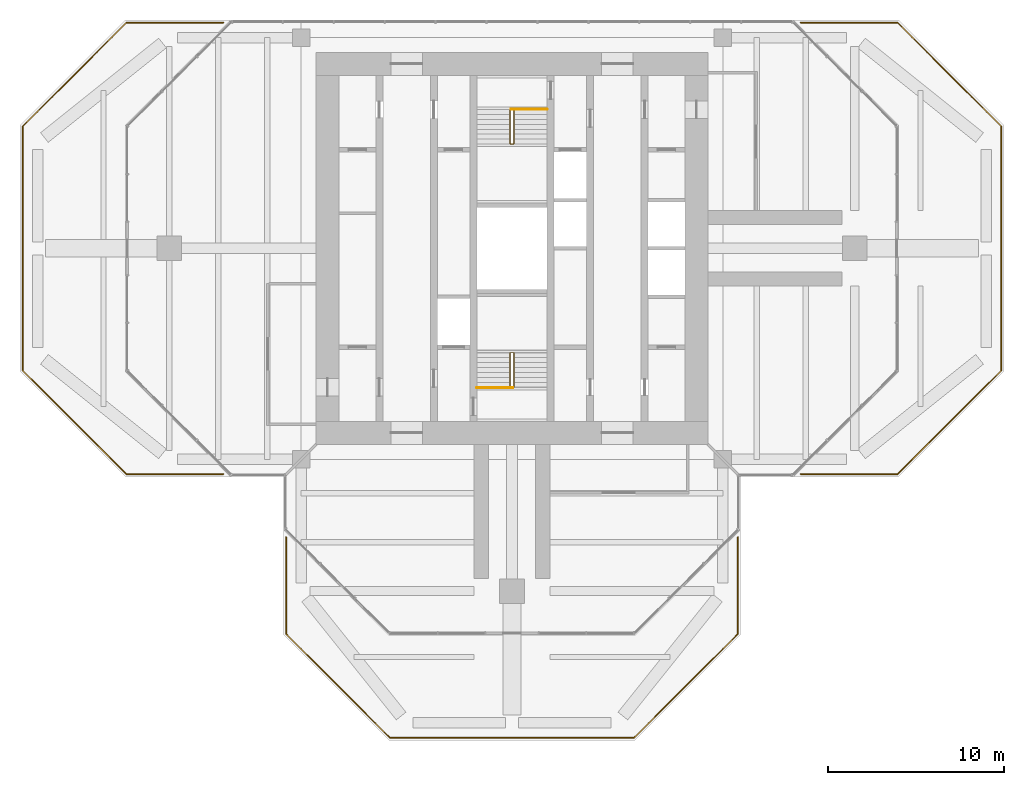
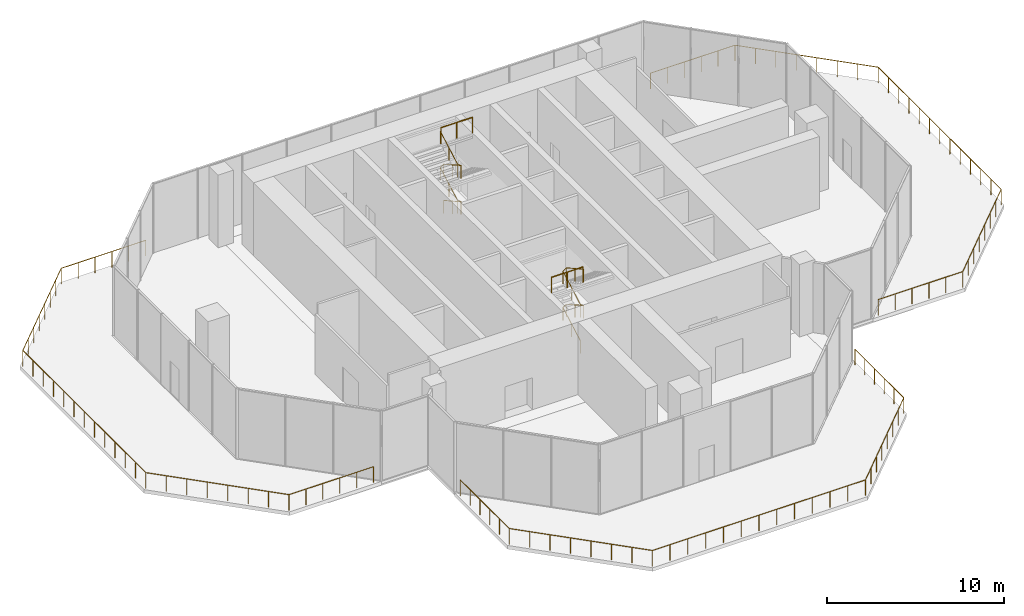
# One storey, part 13 of 13: 7 railings.
"""IFC4 building model written with IfcOpenShell, lengths in metres."""

from ifc_helpers import new_model, si_unit, direction, frame, origin, origin_2d, place, context, subcontext, project, spatial, circle, extrude, material, type_object, element, save


model = new_model("IFC4")

# Units and contexts
model_context = context("Model", 3, precision=1e-05, world=origin(), true_north=direction((0.0, 1.0)))
body_context = subcontext(model_context, "Body", "Model", "MODEL_VIEW")
ifc_project = project(units=[si_unit("LENGTHUNIT", "METRE"), si_unit("AREAUNIT", "SQUARE_METRE"), si_unit("VOLUMEUNIT", "CUBIC_METRE"), si_unit("PLANEANGLEUNIT", "RADIAN"), si_unit("MASSUNIT", "GRAM", prefix="KILO")], contexts=[model_context])

# Site, building, storey
site_placement = place(None, origin())
site = spatial("IfcSite", under=ifc_project, at=site_placement, CompositionType="ELEMENT")
building_placement = place(site_placement, origin())
building = spatial("IfcBuilding", under=site, at=building_placement, Name="Mizan Broadcast Tower", CompositionType="ELEMENT")
storey_placement = place(building_placement, frame((0.0, 0.0, 306.300048828125)))
storey = spatial("IfcBuildingStorey", under=building, at=storey_placement, Name="L73", CompositionType="ELEMENT", Elevation=306.300048828125)

# Railings
ifc_material_1 = material(Name="Stainless steel and glass guard", Category="steel")
railing_type_1 = type_object("IfcRailingType", Name="GUARD 1100", PredefinedType="GUARDRAIL", material=ifc_material_1)
railing_1_placement = place(storey_placement, frame((16.432861328125, 12.85009765625, 0.0)))
element("IfcRailing", 1, at=railing_1_placement, inside=storey, type_object=railing_type_1, Name="Maintenance roof guard L73 1", PredefinedType="GUARDRAIL", context=body_context, shape_type="SweptSolid", body=[
    extrude(circle(Radius=0.02392578125, at=origin_2d()), frame((0.0, 0.0, 1.076171875), z_axis=(1.0, 0.0, 0.0), x_axis=(0.0, 1.0, 0.0)), (0.0, 0.0, 1.0), 5.505126953125),
    extrude(circle(Radius=0.02392578125, at=origin_2d()), frame((5.505126953125, 0.0, 1.076171875), z_axis=(0.707106781187, -0.707106781187, 0.0), x_axis=(0.707106781187, 0.707106781187, 0.0)), (0.0, 0.0, 1.0), 8.361083984375),
    extrude(circle(Radius=0.02392578125, at=origin_2d()), frame((11.417236328125, -5.912109375, 1.076171875), z_axis=(0.0, -1.0, 0.0), x_axis=(1.0, 0.0, 0.0)), (0.0, 0.0, 1.0), 13.8759765625),
    extrude(circle(Radius=0.02392578125, at=origin_2d()), frame((11.417236328125, -19.7880859375, 1.076171875), z_axis=(-0.707106781187, -0.707106781187, 0.0), x_axis=(0.707106781187, -0.707106781187, 0.0)), (0.0, 0.0, 1.0), 8.361083984375),
    extrude(circle(Radius=0.02392578125, at=origin_2d()), frame((5.505126953125, -25.7001953125, 1.076171875), z_axis=(-1.0, 0.0, 0.0), x_axis=(0.0, -1.0, 0.0)), (0.0, 0.0, 1.0), 5.505126953125),
    extrude(circle(Radius=0.02099609375, at=origin_2d()), origin(), (0.0, 0.0, 1.0), 1.052001953125),
    extrude(circle(Radius=0.02099609375, at=origin_2d()), frame((1.10107421875, 0.0, 0.0)), (0.0, 0.0, 1.0), 1.052001953125),
    extrude(circle(Radius=0.02099609375, at=origin_2d()), frame((2.2021484375, 0.0, 0.0)), (0.0, 0.0, 1.0), 1.052001953125),
    extrude(circle(Radius=0.02099609375, at=origin_2d()), frame((3.302978515625, 0.0, 0.0)), (0.0, 0.0, 1.0), 1.052001953125),
    extrude(circle(Radius=0.02099609375, at=origin_2d()), frame((4.404052734375, 0.0, 0.0)), (0.0, 0.0, 1.0), 1.052001953125),
    extrude(circle(Radius=0.02099609375, at=origin_2d()), frame((5.505126953125, 0.0, 0.0)), (0.0, 0.0, 1.0), 1.052001953125),
    extrude(circle(Radius=0.02099609375, at=origin_2d()), frame((6.349609375, -0.844482421875, 0.0)), (0.0, 0.0, 1.0), 1.052001953125),
    extrude(circle(Radius=0.02099609375, at=origin_2d()), frame((7.1943359375, -1.689208984375, 0.0)), (0.0, 0.0, 1.0), 1.052001953125),
    extrude(circle(Radius=0.02099609375, at=origin_2d()), frame((8.038818359375, -2.53369140625, 0.0)), (0.0, 0.0, 1.0), 1.052001953125),
    extrude(circle(Radius=0.02099609375, at=origin_2d()), frame((8.883544921875, -3.37841796875, 0.0)), (0.0, 0.0, 1.0), 1.052001953125),
    extrude(circle(Radius=0.02099609375, at=origin_2d()), frame((9.72802734375, -4.222900390625, 0.0)), (0.0, 0.0, 1.0), 1.052001953125),
    extrude(circle(Radius=0.02099609375, at=origin_2d()), frame((10.57275390625, -5.067626953125, 0.0)), (0.0, 0.0, 1.0), 1.052001953125),
    extrude(circle(Radius=0.02099609375, at=origin_2d()), frame((11.417236328125, -5.912109375, 0.0)), (0.0, 0.0, 1.0), 1.052001953125),
    extrude(circle(Radius=0.02099609375, at=origin_2d()), frame((11.417236328125, -7.068359375, 0.0)), (0.0, 0.0, 1.0), 1.052001953125),
    extrude(circle(Radius=0.02099609375, at=origin_2d()), frame((11.417236328125, -8.224853515625, 0.0)), (0.0, 0.0, 1.0), 1.052001953125),
    extrude(circle(Radius=0.02099609375, at=origin_2d()), frame((11.417236328125, -9.381103515625, 0.0)), (0.0, 0.0, 1.0), 1.052001953125),
    extrude(circle(Radius=0.02099609375, at=origin_2d()), frame((11.417236328125, -10.537353515625, 0.0)), (0.0, 0.0, 1.0), 1.052001953125),
    extrude(circle(Radius=0.02099609375, at=origin_2d()), frame((11.417236328125, -11.69384765625, 0.0)), (0.0, 0.0, 1.0), 1.052001953125),
    extrude(circle(Radius=0.02099609375, at=origin_2d()), frame((11.417236328125, -12.85009765625, 0.0)), (0.0, 0.0, 1.0), 1.052001953125),
    extrude(circle(Radius=0.02099609375, at=origin_2d()), frame((11.417236328125, -14.00634765625, 0.0)), (0.0, 0.0, 1.0), 1.052001953125),
    extrude(circle(Radius=0.02099609375, at=origin_2d()), frame((11.417236328125, -15.162841796875, 0.0)), (0.0, 0.0, 1.0), 1.052001953125),
    extrude(circle(Radius=0.02099609375, at=origin_2d()), frame((11.417236328125, -16.319091796875, 0.0)), (0.0, 0.0, 1.0), 1.052001953125),
    extrude(circle(Radius=0.02099609375, at=origin_2d()), frame((11.417236328125, -17.475341796875, 0.0)), (0.0, 0.0, 1.0), 1.052001953125),
    extrude(circle(Radius=0.02099609375, at=origin_2d()), frame((11.417236328125, -18.6318359375, 0.0)), (0.0, 0.0, 1.0), 1.052001953125),
    extrude(circle(Radius=0.02099609375, at=origin_2d()), frame((11.417236328125, -19.7880859375, 0.0)), (0.0, 0.0, 1.0), 1.052001953125),
    extrude(circle(Radius=0.02099609375, at=origin_2d()), frame((10.57275390625, -20.632568359375, 0.0)), (0.0, 0.0, 1.0), 1.052001953125),
    extrude(circle(Radius=0.02099609375, at=origin_2d()), frame((9.72802734375, -21.477294921875, 0.0)), (0.0, 0.0, 1.0), 1.052001953125),
    extrude(circle(Radius=0.02099609375, at=origin_2d()), frame((8.883544921875, -22.32177734375, 0.0)), (0.0, 0.0, 1.0), 1.052001953125),
    extrude(circle(Radius=0.02099609375, at=origin_2d()), frame((8.038818359375, -23.16650390625, 0.0)), (0.0, 0.0, 1.0), 1.052001953125),
    extrude(circle(Radius=0.02099609375, at=origin_2d()), frame((7.1943359375, -24.010986328125, 0.0)), (0.0, 0.0, 1.0), 1.052001953125),
    extrude(circle(Radius=0.02099609375, at=origin_2d()), frame((6.349609375, -24.855712890625, 0.0)), (0.0, 0.0, 1.0), 1.052001953125),
    extrude(circle(Radius=0.02099609375, at=origin_2d()), frame((5.505126953125, -25.7001953125, 0.0)), (0.0, 0.0, 1.0), 1.052001953125),
    extrude(circle(Radius=0.02099609375, at=origin_2d()), frame((4.404052734375, -25.7001953125, 0.0)), (0.0, 0.0, 1.0), 1.052001953125),
    extrude(circle(Radius=0.02099609375, at=origin_2d()), frame((3.302978515625, -25.7001953125, 0.0)), (0.0, 0.0, 1.0), 1.052001953125),
    extrude(circle(Radius=0.02099609375, at=origin_2d()), frame((2.2021484375, -25.7001953125, 0.0)), (0.0, 0.0, 1.0), 1.052001953125),
    extrude(circle(Radius=0.02099609375, at=origin_2d()), frame((1.10107421875, -25.7001953125, 0.0)), (0.0, 0.0, 1.0), 1.052001953125),
    extrude(circle(Radius=0.02099609375, at=origin_2d()), frame((0.0, -25.7001953125, 0.0)), (0.0, 0.0, 1.0), 1.052001953125),
])
railing_2_placement = place(storey_placement, frame((12.85009765625, -16.432861328125, 0.0)))
element("IfcRailing", 2, at=railing_2_placement, inside=storey, type_object=railing_type_1, Name="Maintenance roof guard L73 2", PredefinedType="GUARDRAIL", context=body_context, shape_type="SweptSolid", body=[
    extrude(circle(Radius=0.02392578125, at=origin_2d()), frame((0.0, 0.0, 1.076171875), z_axis=(0.0, -1.0, 0.0), x_axis=(1.0, 0.0, 0.0)), (0.0, 0.0, 1.0), 5.505126953125),
    extrude(circle(Radius=0.02392578125, at=origin_2d()), frame((0.0, -5.505126953125, 1.076171875), z_axis=(-0.707106781187, -0.707106781187, 0.0), x_axis=(0.707106781187, -0.707106781187, 0.0)), (0.0, 0.0, 1.0), 8.361083984375),
    extrude(circle(Radius=0.02392578125, at=origin_2d()), frame((-5.912109375, -11.417236328125, 1.076171875), z_axis=(-1.0, 0.0, 0.0), x_axis=(0.0, -1.0, 0.0)), (0.0, 0.0, 1.0), 13.8759765625),
    extrude(circle(Radius=0.02392578125, at=origin_2d()), frame((-19.7880859375, -11.417236328125, 1.076171875), z_axis=(-0.707106781187, 0.707106781187, 0.0), x_axis=(-0.707106781187, -0.707106781187, 0.0)), (0.0, 0.0, 1.0), 8.361083984375),
    extrude(circle(Radius=0.02392578125, at=origin_2d()), frame((-25.7001953125, -5.505126953125, 1.076171875), z_axis=(0.0, 1.0, 0.0), x_axis=(-1.0, 0.0, 0.0)), (0.0, 0.0, 1.0), 5.505126953125),
    extrude(circle(Radius=0.02099609375, at=origin_2d()), origin(), (0.0, 0.0, 1.0), 1.052001953125),
    extrude(circle(Radius=0.02099609375, at=origin_2d()), frame((0.0, -1.10107421875, 0.0)), (0.0, 0.0, 1.0), 1.052001953125),
    extrude(circle(Radius=0.02099609375, at=origin_2d()), frame((0.0, -2.2021484375, 0.0)), (0.0, 0.0, 1.0), 1.052001953125),
    extrude(circle(Radius=0.02099609375, at=origin_2d()), frame((0.0, -3.302978515625, 0.0)), (0.0, 0.0, 1.0), 1.052001953125),
    extrude(circle(Radius=0.02099609375, at=origin_2d()), frame((0.0, -4.404052734375, 0.0)), (0.0, 0.0, 1.0), 1.052001953125),
    extrude(circle(Radius=0.02099609375, at=origin_2d()), frame((0.0, -5.505126953125, 0.0)), (0.0, 0.0, 1.0), 1.052001953125),
    extrude(circle(Radius=0.02099609375, at=origin_2d()), frame((-0.844482421875, -6.349609375, 0.0)), (0.0, 0.0, 1.0), 1.052001953125),
    extrude(circle(Radius=0.02099609375, at=origin_2d()), frame((-1.689208984375, -7.1943359375, 0.0)), (0.0, 0.0, 1.0), 1.052001953125),
    extrude(circle(Radius=0.02099609375, at=origin_2d()), frame((-2.53369140625, -8.038818359375, 0.0)), (0.0, 0.0, 1.0), 1.052001953125),
    extrude(circle(Radius=0.02099609375, at=origin_2d()), frame((-3.37841796875, -8.883544921875, 0.0)), (0.0, 0.0, 1.0), 1.052001953125),
    extrude(circle(Radius=0.02099609375, at=origin_2d()), frame((-4.222900390625, -9.72802734375, 0.0)), (0.0, 0.0, 1.0), 1.052001953125),
    extrude(circle(Radius=0.02099609375, at=origin_2d()), frame((-5.067626953125, -10.57275390625, 0.0)), (0.0, 0.0, 1.0), 1.052001953125),
    extrude(circle(Radius=0.02099609375, at=origin_2d()), frame((-5.912109375, -11.417236328125, 0.0)), (0.0, 0.0, 1.0), 1.052001953125),
    extrude(circle(Radius=0.02099609375, at=origin_2d()), frame((-7.068359375, -11.417236328125, 0.0)), (0.0, 0.0, 1.0), 1.052001953125),
    extrude(circle(Radius=0.02099609375, at=origin_2d()), frame((-8.224853515625, -11.417236328125, 0.0)), (0.0, 0.0, 1.0), 1.052001953125),
    extrude(circle(Radius=0.02099609375, at=origin_2d()), frame((-9.381103515625, -11.417236328125, 0.0)), (0.0, 0.0, 1.0), 1.052001953125),
    extrude(circle(Radius=0.02099609375, at=origin_2d()), frame((-10.537353515625, -11.417236328125, 0.0)), (0.0, 0.0, 1.0), 1.052001953125),
    extrude(circle(Radius=0.02099609375, at=origin_2d()), frame((-11.69384765625, -11.417236328125, 0.0)), (0.0, 0.0, 1.0), 1.052001953125),
    extrude(circle(Radius=0.02099609375, at=origin_2d()), frame((-12.85009765625, -11.417236328125, 0.0)), (0.0, 0.0, 1.0), 1.052001953125),
    extrude(circle(Radius=0.02099609375, at=origin_2d()), frame((-14.00634765625, -11.417236328125, 0.0)), (0.0, 0.0, 1.0), 1.052001953125),
    extrude(circle(Radius=0.02099609375, at=origin_2d()), frame((-15.162841796875, -11.417236328125, 0.0)), (0.0, 0.0, 1.0), 1.052001953125),
    extrude(circle(Radius=0.02099609375, at=origin_2d()), frame((-16.319091796875, -11.417236328125, 0.0)), (0.0, 0.0, 1.0), 1.052001953125),
    extrude(circle(Radius=0.02099609375, at=origin_2d()), frame((-17.475341796875, -11.417236328125, 0.0)), (0.0, 0.0, 1.0), 1.052001953125),
    extrude(circle(Radius=0.02099609375, at=origin_2d()), frame((-18.6318359375, -11.417236328125, 0.0)), (0.0, 0.0, 1.0), 1.052001953125),
    extrude(circle(Radius=0.02099609375, at=origin_2d()), frame((-19.7880859375, -11.417236328125, 0.0)), (0.0, 0.0, 1.0), 1.052001953125),
    extrude(circle(Radius=0.02099609375, at=origin_2d()), frame((-20.632568359375, -10.57275390625, 0.0)), (0.0, 0.0, 1.0), 1.052001953125),
    extrude(circle(Radius=0.02099609375, at=origin_2d()), frame((-21.477294921875, -9.72802734375, 0.0)), (0.0, 0.0, 1.0), 1.052001953125),
    extrude(circle(Radius=0.02099609375, at=origin_2d()), frame((-22.32177734375, -8.883544921875, 0.0)), (0.0, 0.0, 1.0), 1.052001953125),
    extrude(circle(Radius=0.02099609375, at=origin_2d()), frame((-23.16650390625, -8.038818359375, 0.0)), (0.0, 0.0, 1.0), 1.052001953125),
    extrude(circle(Radius=0.02099609375, at=origin_2d()), frame((-24.010986328125, -7.1943359375, 0.0)), (0.0, 0.0, 1.0), 1.052001953125),
    extrude(circle(Radius=0.02099609375, at=origin_2d()), frame((-24.855712890625, -6.349609375, 0.0)), (0.0, 0.0, 1.0), 1.052001953125),
    extrude(circle(Radius=0.02099609375, at=origin_2d()), frame((-25.7001953125, -5.505126953125, 0.0)), (0.0, 0.0, 1.0), 1.052001953125),
    extrude(circle(Radius=0.02099609375, at=origin_2d()), frame((-25.7001953125, -4.404052734375, 0.0)), (0.0, 0.0, 1.0), 1.052001953125),
    extrude(circle(Radius=0.02099609375, at=origin_2d()), frame((-25.7001953125, -3.302978515625, 0.0)), (0.0, 0.0, 1.0), 1.052001953125),
    extrude(circle(Radius=0.02099609375, at=origin_2d()), frame((-25.7001953125, -2.2021484375, 0.0)), (0.0, 0.0, 1.0), 1.052001953125),
    extrude(circle(Radius=0.02099609375, at=origin_2d()), frame((-25.7001953125, -1.10107421875, 0.0)), (0.0, 0.0, 1.0), 1.052001953125),
    extrude(circle(Radius=0.02099609375, at=origin_2d()), frame((-25.7001953125, 0.0, 0.0)), (0.0, 0.0, 1.0), 1.052001953125),
])
railing_3_placement = place(storey_placement, frame((-16.432861328125, -12.85009765625, 0.0)))
element("IfcRailing", 3, at=railing_3_placement, inside=storey, type_object=railing_type_1, Name="Maintenance roof guard L73 3", PredefinedType="GUARDRAIL", context=body_context, shape_type="SweptSolid", body=[
    extrude(circle(Radius=0.02392578125, at=origin_2d()), frame((0.0, 0.0, 1.076171875), z_axis=(-1.0, 0.0, 0.0), x_axis=(0.0, -1.0, 0.0)), (0.0, 0.0, 1.0), 5.505126953125),
    extrude(circle(Radius=0.02392578125, at=origin_2d()), frame((-5.505126953125, 0.0, 1.076171875), z_axis=(-0.707106781187, 0.707106781187, 0.0), x_axis=(-0.707106781187, -0.707106781187, 0.0)), (0.0, 0.0, 1.0), 8.361083984375),
    extrude(circle(Radius=0.02392578125, at=origin_2d()), frame((-11.417236328125, 5.912109375, 1.076171875), z_axis=(0.0, 1.0, 0.0), x_axis=(-1.0, 0.0, 0.0)), (0.0, 0.0, 1.0), 13.8759765625),
    extrude(circle(Radius=0.02392578125, at=origin_2d()), frame((-11.417236328125, 19.7880859375, 1.076171875), z_axis=(0.707106781187, 0.707106781187, 0.0), x_axis=(-0.707106781187, 0.707106781187, 0.0)), (0.0, 0.0, 1.0), 8.361083984375),
    extrude(circle(Radius=0.02392578125, at=origin_2d()), frame((-5.505126953125, 25.7001953125, 1.076171875), z_axis=(1.0, 0.0, 0.0), x_axis=(0.0, 1.0, 0.0)), (0.0, 0.0, 1.0), 5.505126953125),
    extrude(circle(Radius=0.02099609375, at=origin_2d()), origin(), (0.0, 0.0, 1.0), 1.052001953125),
    extrude(circle(Radius=0.02099609375, at=origin_2d()), frame((-1.10107421875, 0.0, 0.0)), (0.0, 0.0, 1.0), 1.052001953125),
    extrude(circle(Radius=0.02099609375, at=origin_2d()), frame((-2.2021484375, 0.0, 0.0)), (0.0, 0.0, 1.0), 1.052001953125),
    extrude(circle(Radius=0.02099609375, at=origin_2d()), frame((-3.302978515625, 0.0, 0.0)), (0.0, 0.0, 1.0), 1.052001953125),
    extrude(circle(Radius=0.02099609375, at=origin_2d()), frame((-4.404052734375, 0.0, 0.0)), (0.0, 0.0, 1.0), 1.052001953125),
    extrude(circle(Radius=0.02099609375, at=origin_2d()), frame((-5.505126953125, 0.0, 0.0)), (0.0, 0.0, 1.0), 1.052001953125),
    extrude(circle(Radius=0.02099609375, at=origin_2d()), frame((-6.349609375, 0.844482421875, 0.0)), (0.0, 0.0, 1.0), 1.052001953125),
    extrude(circle(Radius=0.02099609375, at=origin_2d()), frame((-7.1943359375, 1.689208984375, 0.0)), (0.0, 0.0, 1.0), 1.052001953125),
    extrude(circle(Radius=0.02099609375, at=origin_2d()), frame((-8.038818359375, 2.53369140625, 0.0)), (0.0, 0.0, 1.0), 1.052001953125),
    extrude(circle(Radius=0.02099609375, at=origin_2d()), frame((-8.883544921875, 3.37841796875, 0.0)), (0.0, 0.0, 1.0), 1.052001953125),
    extrude(circle(Radius=0.02099609375, at=origin_2d()), frame((-9.72802734375, 4.222900390625, 0.0)), (0.0, 0.0, 1.0), 1.052001953125),
    extrude(circle(Radius=0.02099609375, at=origin_2d()), frame((-10.57275390625, 5.067626953125, 0.0)), (0.0, 0.0, 1.0), 1.052001953125),
    extrude(circle(Radius=0.02099609375, at=origin_2d()), frame((-11.417236328125, 5.912109375, 0.0)), (0.0, 0.0, 1.0), 1.052001953125),
    extrude(circle(Radius=0.02099609375, at=origin_2d()), frame((-11.417236328125, 7.068359375, 0.0)), (0.0, 0.0, 1.0), 1.052001953125),
    extrude(circle(Radius=0.02099609375, at=origin_2d()), frame((-11.417236328125, 8.224853515625, 0.0)), (0.0, 0.0, 1.0), 1.052001953125),
    extrude(circle(Radius=0.02099609375, at=origin_2d()), frame((-11.417236328125, 9.381103515625, 0.0)), (0.0, 0.0, 1.0), 1.052001953125),
    extrude(circle(Radius=0.02099609375, at=origin_2d()), frame((-11.417236328125, 10.537353515625, 0.0)), (0.0, 0.0, 1.0), 1.052001953125),
    extrude(circle(Radius=0.02099609375, at=origin_2d()), frame((-11.417236328125, 11.69384765625, 0.0)), (0.0, 0.0, 1.0), 1.052001953125),
    extrude(circle(Radius=0.02099609375, at=origin_2d()), frame((-11.417236328125, 12.85009765625, 0.0)), (0.0, 0.0, 1.0), 1.052001953125),
    extrude(circle(Radius=0.02099609375, at=origin_2d()), frame((-11.417236328125, 14.00634765625, 0.0)), (0.0, 0.0, 1.0), 1.052001953125),
    extrude(circle(Radius=0.02099609375, at=origin_2d()), frame((-11.417236328125, 15.162841796875, 0.0)), (0.0, 0.0, 1.0), 1.052001953125),
    extrude(circle(Radius=0.02099609375, at=origin_2d()), frame((-11.417236328125, 16.319091796875, 0.0)), (0.0, 0.0, 1.0), 1.052001953125),
    extrude(circle(Radius=0.02099609375, at=origin_2d()), frame((-11.417236328125, 17.475341796875, 0.0)), (0.0, 0.0, 1.0), 1.052001953125),
    extrude(circle(Radius=0.02099609375, at=origin_2d()), frame((-11.417236328125, 18.6318359375, 0.0)), (0.0, 0.0, 1.0), 1.052001953125),
    extrude(circle(Radius=0.02099609375, at=origin_2d()), frame((-11.417236328125, 19.7880859375, 0.0)), (0.0, 0.0, 1.0), 1.052001953125),
    extrude(circle(Radius=0.02099609375, at=origin_2d()), frame((-10.57275390625, 20.632568359375, 0.0)), (0.0, 0.0, 1.0), 1.052001953125),
    extrude(circle(Radius=0.02099609375, at=origin_2d()), frame((-9.72802734375, 21.477294921875, 0.0)), (0.0, 0.0, 1.0), 1.052001953125),
    extrude(circle(Radius=0.02099609375, at=origin_2d()), frame((-8.883544921875, 22.32177734375, 0.0)), (0.0, 0.0, 1.0), 1.052001953125),
    extrude(circle(Radius=0.02099609375, at=origin_2d()), frame((-8.038818359375, 23.16650390625, 0.0)), (0.0, 0.0, 1.0), 1.052001953125),
    extrude(circle(Radius=0.02099609375, at=origin_2d()), frame((-7.1943359375, 24.010986328125, 0.0)), (0.0, 0.0, 1.0), 1.052001953125),
    extrude(circle(Radius=0.02099609375, at=origin_2d()), frame((-6.349609375, 24.855712890625, 0.0)), (0.0, 0.0, 1.0), 1.052001953125),
    extrude(circle(Radius=0.02099609375, at=origin_2d()), frame((-5.505126953125, 25.7001953125, 0.0)), (0.0, 0.0, 1.0), 1.052001953125),
    extrude(circle(Radius=0.02099609375, at=origin_2d()), frame((-4.404052734375, 25.7001953125, 0.0)), (0.0, 0.0, 1.0), 1.052001953125),
    extrude(circle(Radius=0.02099609375, at=origin_2d()), frame((-3.302978515625, 25.7001953125, 0.0)), (0.0, 0.0, 1.0), 1.052001953125),
    extrude(circle(Radius=0.02099609375, at=origin_2d()), frame((-2.2021484375, 25.7001953125, 0.0)), (0.0, 0.0, 1.0), 1.052001953125),
    extrude(circle(Radius=0.02099609375, at=origin_2d()), frame((-1.10107421875, 25.7001953125, 0.0)), (0.0, 0.0, 1.0), 1.052001953125),
    extrude(circle(Radius=0.02099609375, at=origin_2d()), frame((0.0, 25.7001953125, 0.0)), (0.0, 0.0, 1.0), 1.052001953125),
])
railing_4_placement = place(storey_placement, frame((-2.0, -7.929931640625, 5.0)))
element("IfcRailing", 4, at=railing_4_placement, inside=storey, type_object=railing_type_1, Name="Stair A top landing guard", PredefinedType="GUARDRAIL", context=body_context, shape_type="SweptSolid", body=[
    extrude(circle(Radius=0.02392578125, at=origin_2d()), frame((0.0, 0.0, 1.076171875), z_axis=(1.0, 0.0, 0.0), x_axis=(0.0, 1.0, 0.0)), (0.0, 0.0, 1.0), 2.050048828125),
    extrude(circle(Radius=0.02099609375, at=origin_2d()), origin(), (0.0, 0.0, 1.0), 1.052001953125),
    extrude(circle(Radius=0.02099609375, at=origin_2d()), frame((1.02490234375, 0.0, 0.0)), (0.0, 0.0, 1.0), 1.052001953125),
    extrude(circle(Radius=0.02099609375, at=origin_2d()), frame((2.050048828125, 0.0, 0.0)), (0.0, 0.0, 1.0), 1.052001953125),
])
railing_5_placement = place(storey_placement, frame((2.0, 7.929931640625, 5.0)))
element("IfcRailing", 5, at=railing_5_placement, inside=storey, type_object=railing_type_1, Name="Stair B top landing guard", PredefinedType="GUARDRAIL", context=body_context, shape_type="SweptSolid", body=[
    extrude(circle(Radius=0.02392578125, at=origin_2d()), frame((0.0, 0.0, 1.076171875), z_axis=(-1.0, 0.0, 0.0), x_axis=(0.0, -1.0, 0.0)), (0.0, 0.0, 1.0), 2.050048828125),
    extrude(circle(Radius=0.02099609375, at=origin_2d()), origin(), (0.0, 0.0, 1.0), 1.052001953125),
    extrude(circle(Radius=0.02099609375, at=origin_2d()), frame((-1.02490234375, 0.0, 0.0)), (0.0, 0.0, 1.0), 1.052001953125),
    extrude(circle(Radius=0.02099609375, at=origin_2d()), frame((-2.050048828125, 0.0, 0.0)), (0.0, 0.0, 1.0), 1.052001953125),
])
ifc_material_2 = material(Name="Stainless steel", Category="steel")
railing_type_2 = type_object("IfcRailingType", Name="HANDRAIL 50", PredefinedType="HANDRAIL", material=ifc_material_2)
railing_6_placement = place(storey_placement, frame((-0.110107421875, -7.89990234375, 0.15625)))
element("IfcRailing", 6, at=railing_6_placement, inside=storey, type_object=railing_type_2, Name="Stair A handrail", PredefinedType="HANDRAIL", context=body_context, shape_type="SweptSolid", body=[
    extrude(circle(Radius=0.02392578125, at=origin_2d()), frame((0.0, 0.0, 0.8759765625), z_axis=(0.0, 0.873232148454, 0.487304437602), x_axis=(-1.0, 0.0, 0.0)), (0.0, 0.0, 1.0), 2.244384765625),
    extrude(circle(Radius=0.02392578125, at=origin_2d()), frame((0.0, 1.9599609375, 1.9697265625), z_axis=(0.815562204743, 0.0, 0.578669413565), x_axis=(0.0, 1.0, 0.0)), (0.0, 0.0, 1.0), 0.27001953125),
    extrude(circle(Radius=0.02392578125, at=origin_2d()), frame((0.22021484375, 1.9599609375, 2.1259765625), z_axis=(0.0, -0.873232148454, 0.487304437602), x_axis=(1.0, 0.0, 0.0)), (0.0, 0.0, 1.0), 2.244384765625),
    extrude(circle(Radius=0.02392578125, at=origin_2d()), frame((0.22021484375, 0.0, 3.2197265625), z_axis=(-0.815562204743, 0.0, 0.578669413565), x_axis=(0.0, -1.0, 0.0)), (0.0, 0.0, 1.0), 0.27001953125),
    extrude(circle(Radius=0.02392578125, at=origin_2d()), frame((0.0, 0.0, 3.3759765625), z_axis=(0.0, 0.873232148454, 0.487304437602), x_axis=(-1.0, 0.0, 0.0)), (0.0, 0.0, 1.0), 2.244384765625),
    extrude(circle(Radius=0.02392578125, at=origin_2d()), frame((0.0, 1.9599609375, 4.4697265625), z_axis=(0.815562204743, 0.0, 0.578669413565), x_axis=(0.0, 1.0, 0.0)), (0.0, 0.0, 1.0), 0.27001953125),
    extrude(circle(Radius=0.02392578125, at=origin_2d()), frame((0.22021484375, 1.9599609375, 4.6259765625), z_axis=(0.0, -0.873232148454, 0.487304437602), x_axis=(1.0, 0.0, 0.0)), (0.0, 0.0, 1.0), 2.244384765625),
    extrude(circle(Radius=0.02099609375, at=origin_2d()), origin(), (0.0, 0.0, 1.0), 0.851806640625),
    extrude(circle(Radius=0.02099609375, at=origin_2d()), frame((0.0, 0.97998046875, 0.546875)), (0.0, 0.0, 1.0), 0.851806640625),
    extrude(circle(Radius=0.02099609375, at=origin_2d()), frame((0.0, 1.9599609375, 1.09375)), (0.0, 0.0, 1.0), 0.851806640625),
    extrude(circle(Radius=0.02099609375, at=origin_2d()), frame((0.22021484375, 1.9599609375, 1.25)), (0.0, 0.0, 1.0), 0.851806640625),
    extrude(circle(Radius=0.02099609375, at=origin_2d()), frame((0.22021484375, 0.97998046875, 1.796875)), (0.0, 0.0, 1.0), 0.851806640625),
    extrude(circle(Radius=0.02099609375, at=origin_2d()), frame((0.22021484375, 0.0, 2.34375)), (0.0, 0.0, 1.0), 0.851806640625),
    extrude(circle(Radius=0.02099609375, at=origin_2d()), frame((0.0, 0.0, 2.5)), (0.0, 0.0, 1.0), 0.851806640625),
    extrude(circle(Radius=0.02099609375, at=origin_2d()), frame((0.0, 0.97998046875, 3.046875)), (0.0, 0.0, 1.0), 0.851806640625),
    extrude(circle(Radius=0.02099609375, at=origin_2d()), frame((0.0, 1.9599609375, 3.59375)), (0.0, 0.0, 1.0), 0.851806640625),
    extrude(circle(Radius=0.02099609375, at=origin_2d()), frame((0.22021484375, 1.9599609375, 3.75)), (0.0, 0.0, 1.0), 0.851806640625),
    extrude(circle(Radius=0.02099609375, at=origin_2d()), frame((0.22021484375, 0.97998046875, 4.296875)), (0.0, 0.0, 1.0), 0.851806640625),
    extrude(circle(Radius=0.02099609375, at=origin_2d()), frame((0.22021484375, 0.0, 4.84375)), (0.0, 0.0, 1.0), 0.851806640625),
])
railing_7_placement = place(storey_placement, frame((0.110107421875, 7.89990234375, 0.15625)))
element("IfcRailing", 7, at=railing_7_placement, inside=storey, type_object=railing_type_2, Name="Stair B handrail", PredefinedType="HANDRAIL", context=body_context, shape_type="SweptSolid", body=[
    extrude(circle(Radius=0.02392578125, at=origin_2d()), frame((0.0, 0.0, 0.8759765625), z_axis=(0.0, -0.873232148454, 0.487304437602), x_axis=(1.0, 0.0, 0.0)), (0.0, 0.0, 1.0), 2.244384765625),
    extrude(circle(Radius=0.02392578125, at=origin_2d()), frame((0.0, -1.9599609375, 1.9697265625), z_axis=(-0.815562204743, 0.0, 0.578669413565), x_axis=(0.0, -1.0, 0.0)), (0.0, 0.0, 1.0), 0.27001953125),
    extrude(circle(Radius=0.02392578125, at=origin_2d()), frame((-0.22021484375, -1.9599609375, 2.1259765625), z_axis=(0.0, 0.873232148454, 0.487304437602), x_axis=(-1.0, 0.0, 0.0)), (0.0, 0.0, 1.0), 2.244384765625),
    extrude(circle(Radius=0.02392578125, at=origin_2d()), frame((-0.22021484375, 0.0, 3.2197265625), z_axis=(0.815562204743, 0.0, 0.578669413565), x_axis=(0.0, 1.0, 0.0)), (0.0, 0.0, 1.0), 0.27001953125),
    extrude(circle(Radius=0.02392578125, at=origin_2d()), frame((0.0, 0.0, 3.3759765625), z_axis=(0.0, -0.873232148454, 0.487304437602), x_axis=(1.0, 0.0, 0.0)), (0.0, 0.0, 1.0), 2.244384765625),
    extrude(circle(Radius=0.02392578125, at=origin_2d()), frame((0.0, -1.9599609375, 4.4697265625), z_axis=(-0.815562204743, 0.0, 0.578669413565), x_axis=(0.0, -1.0, 0.0)), (0.0, 0.0, 1.0), 0.27001953125),
    extrude(circle(Radius=0.02392578125, at=origin_2d()), frame((-0.22021484375, -1.9599609375, 4.6259765625), z_axis=(0.0, 0.873232148454, 0.487304437602), x_axis=(-1.0, 0.0, 0.0)), (0.0, 0.0, 1.0), 2.244384765625),
    extrude(circle(Radius=0.02099609375, at=origin_2d()), origin(), (0.0, 0.0, 1.0), 0.851806640625),
    extrude(circle(Radius=0.02099609375, at=origin_2d()), frame((0.0, -0.97998046875, 0.546875)), (0.0, 0.0, 1.0), 0.851806640625),
    extrude(circle(Radius=0.02099609375, at=origin_2d()), frame((0.0, -1.9599609375, 1.09375)), (0.0, 0.0, 1.0), 0.851806640625),
    extrude(circle(Radius=0.02099609375, at=origin_2d()), frame((-0.22021484375, -1.9599609375, 1.25)), (0.0, 0.0, 1.0), 0.851806640625),
    extrude(circle(Radius=0.02099609375, at=origin_2d()), frame((-0.22021484375, -0.97998046875, 1.796875)), (0.0, 0.0, 1.0), 0.851806640625),
    extrude(circle(Radius=0.02099609375, at=origin_2d()), frame((-0.22021484375, 0.0, 2.34375)), (0.0, 0.0, 1.0), 0.851806640625),
    extrude(circle(Radius=0.02099609375, at=origin_2d()), frame((0.0, 0.0, 2.5)), (0.0, 0.0, 1.0), 0.851806640625),
    extrude(circle(Radius=0.02099609375, at=origin_2d()), frame((0.0, -0.97998046875, 3.046875)), (0.0, 0.0, 1.0), 0.851806640625),
    extrude(circle(Radius=0.02099609375, at=origin_2d()), frame((0.0, -1.9599609375, 3.59375)), (0.0, 0.0, 1.0), 0.851806640625),
    extrude(circle(Radius=0.02099609375, at=origin_2d()), frame((-0.22021484375, -1.9599609375, 3.75)), (0.0, 0.0, 1.0), 0.851806640625),
    extrude(circle(Radius=0.02099609375, at=origin_2d()), frame((-0.22021484375, -0.97998046875, 4.296875)), (0.0, 0.0, 1.0), 0.851806640625),
    extrude(circle(Radius=0.02099609375, at=origin_2d()), frame((-0.22021484375, 0.0, 4.84375)), (0.0, 0.0, 1.0), 0.851806640625),
])

save(model, "model.ifc")
